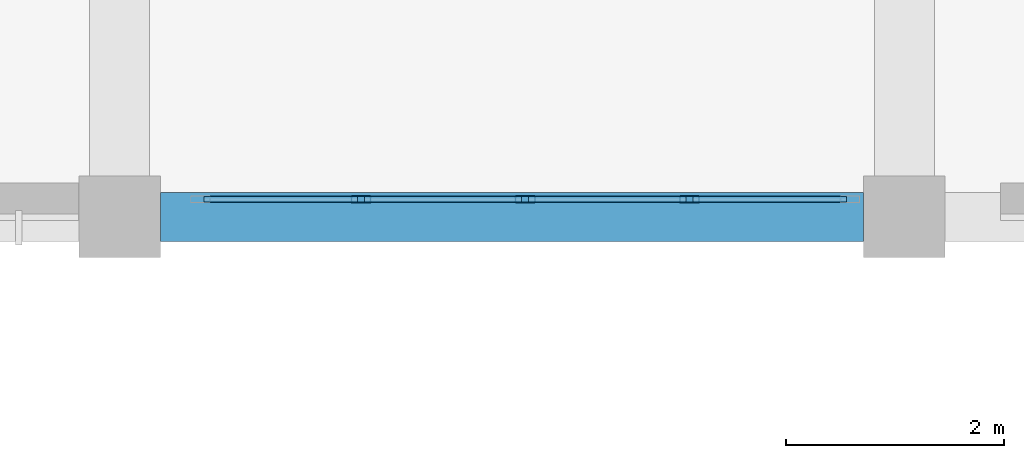
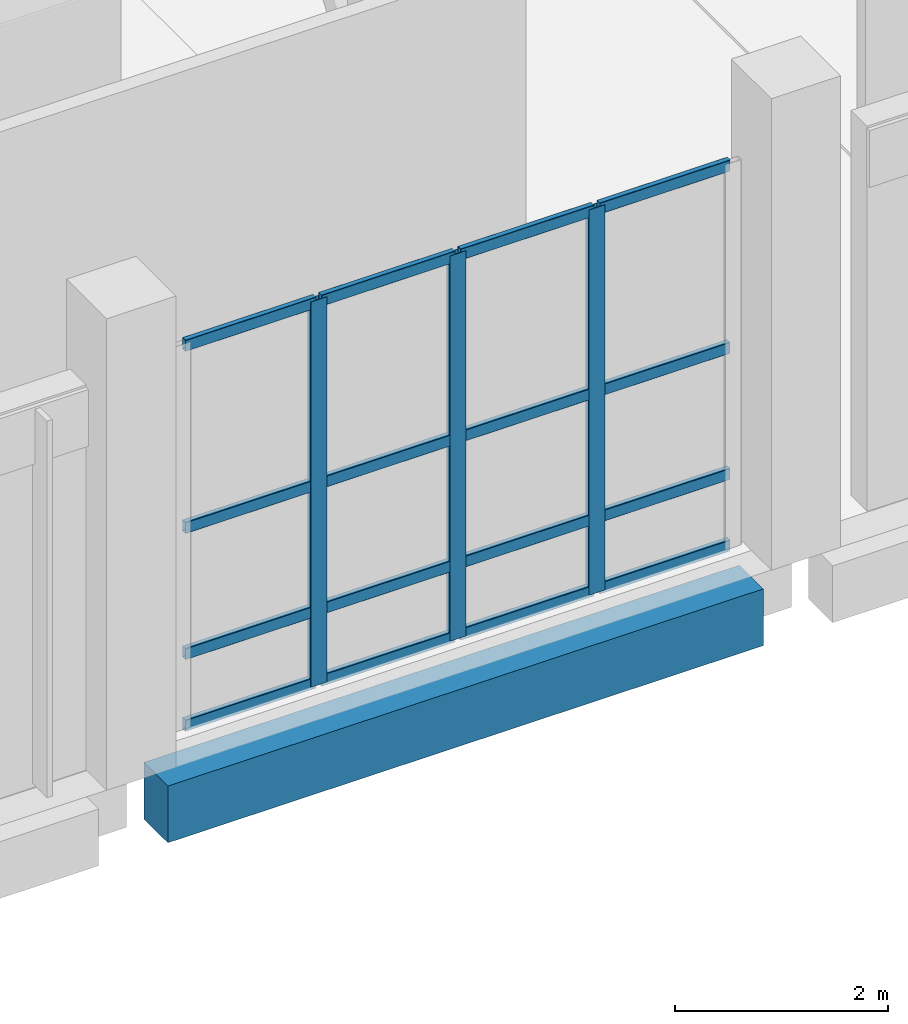
# One storey, part 52 of 137: 19 members, 1 beam, 1 element without a shape of its own.
"""IFC4 building model written with IfcOpenShell, lengths in metres."""

from ifc_helpers import new_model, si_unit, direction, frame, origin, origin_2d, place, context, subcontext, project, spatial, rectangle, hollow_rectangle, extrude, material, material_profile, profile_set, type_object, element, aggregate, save


model = new_model("IFC4")

# Units and contexts
model_context = context("Model", 3, precision=1e-05, world=origin(), true_north=direction((0.0, 1.0)))
body_context = subcontext(model_context, "Body", "Model", "MODEL_VIEW")
ifc_project = project(units=[si_unit("LENGTHUNIT", "METRE"), si_unit("AREAUNIT", "SQUARE_METRE"), si_unit("VOLUMEUNIT", "CUBIC_METRE"), si_unit("PLANEANGLEUNIT", "RADIAN"), si_unit("MASSUNIT", "GRAM", prefix="KILO")], contexts=[model_context])

# Site, building, storey
site_placement = place(None, origin())
site = spatial("IfcSite", under=ifc_project, at=site_placement, CompositionType="ELEMENT")
building_placement = place(site_placement, origin())
building = spatial("IfcBuilding", under=site, at=building_placement, Name="Kalmorath City Hall", CompositionType="ELEMENT")
storey_placement = place(building_placement, origin())
storey = spatial("IfcBuildingStorey", under=building, at=storey_placement, Name="L00", CompositionType="ELEMENT", Elevation=0.0)

# Beam
ifc_material_1 = material(Name="Concrete C40/50", Category="concrete")
ifc_material_profile_1 = material_profile(ifc_material_1, rectangle(XDim=0.449951171875, YDim=0.64990234375, at=origin_2d()), Name="RC-BM-450X650")
ifc_profile_set_1 = profile_set([ifc_material_profile_1], Name="Concrete C40/50")
beam_type = type_object("IfcBeamType", Name="Concrete spandrel beam 450x650", PredefinedType="SPANDREL", material=ifc_profile_set_1)
beam_placement = place(storey_placement, frame((57.97509765625, 93.60009765625, -0.62890625), z_axis=(1.0, 0.0, 0.0), x_axis=(0.0, 1.0, 0.0)))
element("IfcBeam", 1, at=beam_placement, inside=storey, type_object=beam_type, Name="L00 girder CB5 X9-10/14", PredefinedType="SPANDREL", context=body_context, shape_type="SweptSolid", body=[
    extrude(rectangle(XDim=0.449951171875, YDim=0.64990234375, at=origin_2d()), origin(), (0.0, 0.0, 1.0), 6.449951171875),
])

# Curtain wall, members
ifc_material_2 = material(Name="Anodised aluminium and laminated glass", Category="aluminium")
curtain_wall_type = type_object("IfcCurtainWallType", Name="Unitised hurricane curtain wall 6027x4411 M1550", PredefinedType="NOTDEFINED", material=ifc_material_2)
curtain_wall_placement = place(storey_placement, origin())
curtain_wall = element("IfcCurtainWall", 2, at=curtain_wall_placement, inside=storey, type_object=curtain_wall_type, Name="L00 curtain wall CW-60X44M16 #52", PredefinedType="NOTDEFINED")
ifc_material_3 = material(Name="Anodised aluminium framing", Category="aluminium")
ifc_material_profile_2 = material_profile(ifc_material_3, hollow_rectangle(XDim=0.06494140625, YDim=0.179931640625, WallThickness=0.00390625, InnerFilletRadius=0.00390625, OuterFilletRadius=0.008056640625, at=origin_2d()), Name="ALU-MUL-180X65X4")
ifc_profile_set_2 = profile_set([ifc_material_profile_2], Name="Anodised aluminium framing")
member_type_1 = type_object("IfcMemberType", Name="Curtain-wall courtyard mullion 180x65", PredefinedType="MULLION", material=ifc_profile_set_2)
member_1_placement = place(storey_placement, frame((62.828125, 93.760009765625, 0.0), z_axis=(0.0, 0.0, 1.0), x_axis=(0.0, -1.0, 0.0)))
member_1 = element("IfcMember", 3, at=member_1_placement, type_object=member_type_1, Name="CW-60X44M16 mullion 2", PredefinedType="MULLION", context=body_context, shape_type="SweptSolid", body=[
    extrude(hollow_rectangle(XDim=0.06494140625, YDim=0.179931640625, WallThickness=0.00390625, InnerFilletRadius=0.00390625, OuterFilletRadius=0.008056640625, at=origin_2d()), origin(), (0.0, 0.0, 1.0), 4.410888671875),
])
member_2_placement = place(storey_placement, frame((61.3212890625, 93.760009765625, 0.0), z_axis=(0.0, 0.0, 1.0), x_axis=(0.0, -1.0, 0.0)))
member_2 = element("IfcMember", 4, at=member_2_placement, type_object=member_type_1, Name="CW-60X44M16 mullion 3", PredefinedType="MULLION", context=body_context, shape_type="SweptSolid", body=[
    extrude(hollow_rectangle(XDim=0.06494140625, YDim=0.179931640625, WallThickness=0.00390625, InnerFilletRadius=0.00390625, OuterFilletRadius=0.008056640625, at=origin_2d()), origin(), (0.0, 0.0, 1.0), 4.410888671875),
])
member_3_placement = place(storey_placement, frame((59.814453125, 93.760009765625, 0.0), z_axis=(0.0, 0.0, 1.0), x_axis=(0.0, -1.0, 0.0)))
member_3 = element("IfcMember", 5, at=member_3_placement, type_object=member_type_1, Name="CW-60X44M16 mullion 4", PredefinedType="MULLION", context=body_context, shape_type="SweptSolid", body=[
    extrude(hollow_rectangle(XDim=0.06494140625, YDim=0.179931640625, WallThickness=0.00390625, InnerFilletRadius=0.00390625, OuterFilletRadius=0.008056640625, at=origin_2d()), origin(), (0.0, 0.0, 1.0), 4.410888671875),
])
ifc_material_4 = material(Name="Anodised aluminium framing", Category="aluminium")
ifc_material_profile_3 = material_profile(ifc_material_4, hollow_rectangle(XDim=0.06005859375, YDim=0.1298828125, WallThickness=0.00341796875, InnerFilletRadius=0.00341796875, OuterFilletRadius=0.007080078125, at=origin_2d()), Name="ALU-TRN-130X60X3.5")
ifc_profile_set_3 = profile_set([ifc_material_profile_3], Name="Anodised aluminium framing")
member_type_2 = type_object("IfcMemberType", Name="Curtain-wall courtyard transom 130x60", PredefinedType="USERDEFINED", material=ifc_profile_set_3)
member_4_placement = place(storey_placement, frame((64.27001953125, 93.760009765625, 0.030029296875), z_axis=(-1.0, 0.0, 0.0), x_axis=(0.0, -1.0, 0.0)))
member_4 = element("IfcMember", 6, at=member_4_placement, type_object=member_type_2, Name="CW-60X44M16 transom 1.1", ObjectType="TRANSOM", PredefinedType="USERDEFINED", context=body_context, shape_type="SweptSolid", body=[
    extrude(hollow_rectangle(XDim=0.06005859375, YDim=0.1298828125, WallThickness=0.00341796875, InnerFilletRadius=0.00341796875, OuterFilletRadius=0.007080078125, at=origin_2d()), origin(), (0.0, 0.0, 1.0), 1.409423828125),
])
member_5_placement = place(storey_placement, frame((64.27001953125, 93.760009765625, 0.85009765625), z_axis=(-1.0, 0.0, 0.0), x_axis=(0.0, -1.0, 0.0)))
member_5 = element("IfcMember", 7, at=member_5_placement, type_object=member_type_2, Name="CW-60X44M16 transom 1.2", ObjectType="TRANSOM", PredefinedType="USERDEFINED", context=body_context, shape_type="SweptSolid", body=[
    extrude(hollow_rectangle(XDim=0.06005859375, YDim=0.1298828125, WallThickness=0.00341796875, InnerFilletRadius=0.00341796875, OuterFilletRadius=0.007080078125, at=origin_2d()), origin(), (0.0, 0.0, 1.0), 1.409423828125),
])
member_6_placement = place(storey_placement, frame((64.27001953125, 93.760009765625, 2.2939453125), z_axis=(-1.0, 0.0, 0.0), x_axis=(0.0, -1.0, 0.0)))
member_6 = element("IfcMember", 8, at=member_6_placement, type_object=member_type_2, Name="CW-60X44M16 transom 1.3", ObjectType="TRANSOM", PredefinedType="USERDEFINED", context=body_context, shape_type="SweptSolid", body=[
    extrude(hollow_rectangle(XDim=0.06005859375, YDim=0.1298828125, WallThickness=0.00341796875, InnerFilletRadius=0.00341796875, OuterFilletRadius=0.007080078125, at=origin_2d()), origin(), (0.0, 0.0, 1.0), 1.409423828125),
])
member_7_placement = place(storey_placement, frame((64.27001953125, 93.760009765625, 4.381103515625), z_axis=(-1.0, 0.0, 0.0), x_axis=(0.0, -1.0, 0.0)))
member_7 = element("IfcMember", 9, at=member_7_placement, type_object=member_type_2, Name="CW-60X44M16 transom 1.4", ObjectType="TRANSOM", PredefinedType="USERDEFINED", context=body_context, shape_type="SweptSolid", body=[
    extrude(hollow_rectangle(XDim=0.06005859375, YDim=0.1298828125, WallThickness=0.00341796875, InnerFilletRadius=0.00341796875, OuterFilletRadius=0.007080078125, at=origin_2d()), origin(), (0.0, 0.0, 1.0), 1.409423828125),
])
member_8_placement = place(storey_placement, frame((62.795654296875, 93.760009765625, 0.030029296875), z_axis=(-1.0, 0.0, 0.0), x_axis=(0.0, -1.0, 0.0)))
member_8 = element("IfcMember", 10, at=member_8_placement, type_object=member_type_2, Name="CW-60X44M16 transom 2.1", ObjectType="TRANSOM", PredefinedType="USERDEFINED", context=body_context, shape_type="SweptSolid", body=[
    extrude(hollow_rectangle(XDim=0.06005859375, YDim=0.1298828125, WallThickness=0.00341796875, InnerFilletRadius=0.00341796875, OuterFilletRadius=0.007080078125, at=origin_2d()), origin(), (0.0, 0.0, 1.0), 1.44189453125),
])
member_9_placement = place(storey_placement, frame((62.795654296875, 93.760009765625, 0.85009765625), z_axis=(-1.0, 0.0, 0.0), x_axis=(0.0, -1.0, 0.0)))
member_9 = element("IfcMember", 11, at=member_9_placement, type_object=member_type_2, Name="CW-60X44M16 transom 2.2", ObjectType="TRANSOM", PredefinedType="USERDEFINED", context=body_context, shape_type="SweptSolid", body=[
    extrude(hollow_rectangle(XDim=0.06005859375, YDim=0.1298828125, WallThickness=0.00341796875, InnerFilletRadius=0.00341796875, OuterFilletRadius=0.007080078125, at=origin_2d()), origin(), (0.0, 0.0, 1.0), 1.44189453125),
])
member_10_placement = place(storey_placement, frame((62.795654296875, 93.760009765625, 2.2939453125), z_axis=(-1.0, 0.0, 0.0), x_axis=(0.0, -1.0, 0.0)))
member_10 = element("IfcMember", 12, at=member_10_placement, type_object=member_type_2, Name="CW-60X44M16 transom 2.3", ObjectType="TRANSOM", PredefinedType="USERDEFINED", context=body_context, shape_type="SweptSolid", body=[
    extrude(hollow_rectangle(XDim=0.06005859375, YDim=0.1298828125, WallThickness=0.00341796875, InnerFilletRadius=0.00341796875, OuterFilletRadius=0.007080078125, at=origin_2d()), origin(), (0.0, 0.0, 1.0), 1.44189453125),
])
member_11_placement = place(storey_placement, frame((62.795654296875, 93.760009765625, 4.381103515625), z_axis=(-1.0, 0.0, 0.0), x_axis=(0.0, -1.0, 0.0)))
member_11 = element("IfcMember", 13, at=member_11_placement, type_object=member_type_2, Name="CW-60X44M16 transom 2.4", ObjectType="TRANSOM", PredefinedType="USERDEFINED", context=body_context, shape_type="SweptSolid", body=[
    extrude(hollow_rectangle(XDim=0.06005859375, YDim=0.1298828125, WallThickness=0.00341796875, InnerFilletRadius=0.00341796875, OuterFilletRadius=0.007080078125, at=origin_2d()), origin(), (0.0, 0.0, 1.0), 1.44189453125),
])
member_12_placement = place(storey_placement, frame((61.288818359375, 93.760009765625, 0.030029296875), z_axis=(-1.0, 0.0, 0.0), x_axis=(0.0, -1.0, 0.0)))
member_12 = element("IfcMember", 14, at=member_12_placement, type_object=member_type_2, Name="CW-60X44M16 transom 3.1", ObjectType="TRANSOM", PredefinedType="USERDEFINED", context=body_context, shape_type="SweptSolid", body=[
    extrude(hollow_rectangle(XDim=0.06005859375, YDim=0.1298828125, WallThickness=0.00341796875, InnerFilletRadius=0.00341796875, OuterFilletRadius=0.007080078125, at=origin_2d()), origin(), (0.0, 0.0, 1.0), 1.44189453125),
])
member_13_placement = place(storey_placement, frame((61.288818359375, 93.760009765625, 0.85009765625), z_axis=(-1.0, 0.0, 0.0), x_axis=(0.0, -1.0, 0.0)))
member_13 = element("IfcMember", 15, at=member_13_placement, type_object=member_type_2, Name="CW-60X44M16 transom 3.2", ObjectType="TRANSOM", PredefinedType="USERDEFINED", context=body_context, shape_type="SweptSolid", body=[
    extrude(hollow_rectangle(XDim=0.06005859375, YDim=0.1298828125, WallThickness=0.00341796875, InnerFilletRadius=0.00341796875, OuterFilletRadius=0.007080078125, at=origin_2d()), origin(), (0.0, 0.0, 1.0), 1.44189453125),
])
member_14_placement = place(storey_placement, frame((61.288818359375, 93.760009765625, 2.2939453125), z_axis=(-1.0, 0.0, 0.0), x_axis=(0.0, -1.0, 0.0)))
member_14 = element("IfcMember", 16, at=member_14_placement, type_object=member_type_2, Name="CW-60X44M16 transom 3.3", ObjectType="TRANSOM", PredefinedType="USERDEFINED", context=body_context, shape_type="SweptSolid", body=[
    extrude(hollow_rectangle(XDim=0.06005859375, YDim=0.1298828125, WallThickness=0.00341796875, InnerFilletRadius=0.00341796875, OuterFilletRadius=0.007080078125, at=origin_2d()), origin(), (0.0, 0.0, 1.0), 1.44189453125),
])
member_15_placement = place(storey_placement, frame((61.288818359375, 93.760009765625, 4.381103515625), z_axis=(-1.0, 0.0, 0.0), x_axis=(0.0, -1.0, 0.0)))
member_15 = element("IfcMember", 17, at=member_15_placement, type_object=member_type_2, Name="CW-60X44M16 transom 3.4", ObjectType="TRANSOM", PredefinedType="USERDEFINED", context=body_context, shape_type="SweptSolid", body=[
    extrude(hollow_rectangle(XDim=0.06005859375, YDim=0.1298828125, WallThickness=0.00341796875, InnerFilletRadius=0.00341796875, OuterFilletRadius=0.007080078125, at=origin_2d()), origin(), (0.0, 0.0, 1.0), 1.44189453125),
])
member_16_placement = place(storey_placement, frame((59.781982421875, 93.760009765625, 0.030029296875), z_axis=(-1.0, 0.0, 0.0), x_axis=(0.0, -1.0, 0.0)))
member_16 = element("IfcMember", 18, at=member_16_placement, type_object=member_type_2, Name="CW-60X44M16 transom 4.1", ObjectType="TRANSOM", PredefinedType="USERDEFINED", context=body_context, shape_type="SweptSolid", body=[
    extrude(hollow_rectangle(XDim=0.06005859375, YDim=0.1298828125, WallThickness=0.00341796875, InnerFilletRadius=0.00341796875, OuterFilletRadius=0.007080078125, at=origin_2d()), origin(), (0.0, 0.0, 1.0), 1.409423828125),
])
member_17_placement = place(storey_placement, frame((59.781982421875, 93.760009765625, 0.85009765625), z_axis=(-1.0, 0.0, 0.0), x_axis=(0.0, -1.0, 0.0)))
member_17 = element("IfcMember", 19, at=member_17_placement, type_object=member_type_2, Name="CW-60X44M16 transom 4.2", ObjectType="TRANSOM", PredefinedType="USERDEFINED", context=body_context, shape_type="SweptSolid", body=[
    extrude(hollow_rectangle(XDim=0.06005859375, YDim=0.1298828125, WallThickness=0.00341796875, InnerFilletRadius=0.00341796875, OuterFilletRadius=0.007080078125, at=origin_2d()), origin(), (0.0, 0.0, 1.0), 1.409423828125),
])
member_18_placement = place(storey_placement, frame((59.781982421875, 93.760009765625, 2.2939453125), z_axis=(-1.0, 0.0, 0.0), x_axis=(0.0, -1.0, 0.0)))
member_18 = element("IfcMember", 20, at=member_18_placement, type_object=member_type_2, Name="CW-60X44M16 transom 4.3", ObjectType="TRANSOM", PredefinedType="USERDEFINED", context=body_context, shape_type="SweptSolid", body=[
    extrude(hollow_rectangle(XDim=0.06005859375, YDim=0.1298828125, WallThickness=0.00341796875, InnerFilletRadius=0.00341796875, OuterFilletRadius=0.007080078125, at=origin_2d()), origin(), (0.0, 0.0, 1.0), 1.409423828125),
])
member_19_placement = place(storey_placement, frame((59.781982421875, 93.760009765625, 4.381103515625), z_axis=(-1.0, 0.0, 0.0), x_axis=(0.0, -1.0, 0.0)))
member_19 = element("IfcMember", 21, at=member_19_placement, type_object=member_type_2, Name="CW-60X44M16 transom 4.4", ObjectType="TRANSOM", PredefinedType="USERDEFINED", context=body_context, shape_type="SweptSolid", body=[
    extrude(hollow_rectangle(XDim=0.06005859375, YDim=0.1298828125, WallThickness=0.00341796875, InnerFilletRadius=0.00341796875, OuterFilletRadius=0.007080078125, at=origin_2d()), origin(), (0.0, 0.0, 1.0), 1.409423828125),
])
aggregate(curtain_wall, [member_1, member_2, member_3, member_4, member_5, member_6, member_7, member_8, member_9, member_10, member_11, member_12, member_13, member_14, member_15, member_16, member_17, member_18, member_19])

save(model, "model.ifc")
